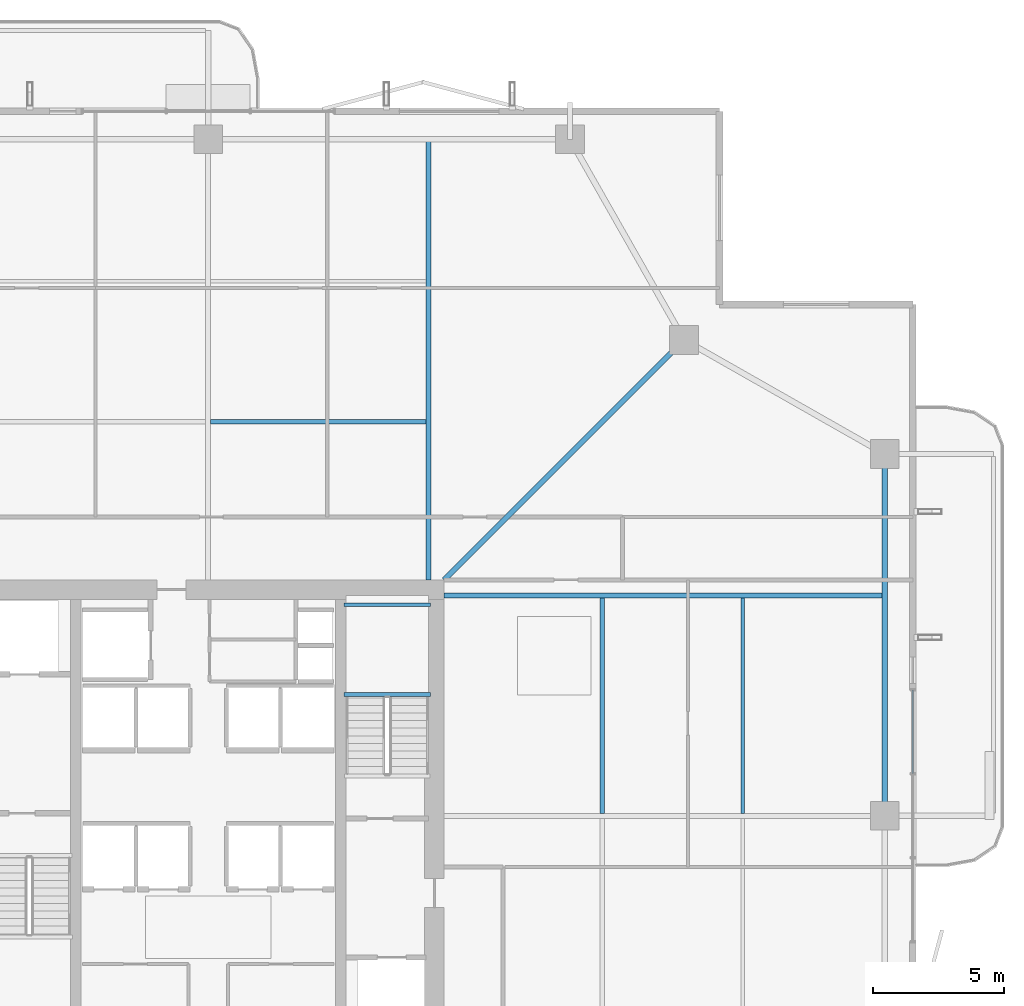
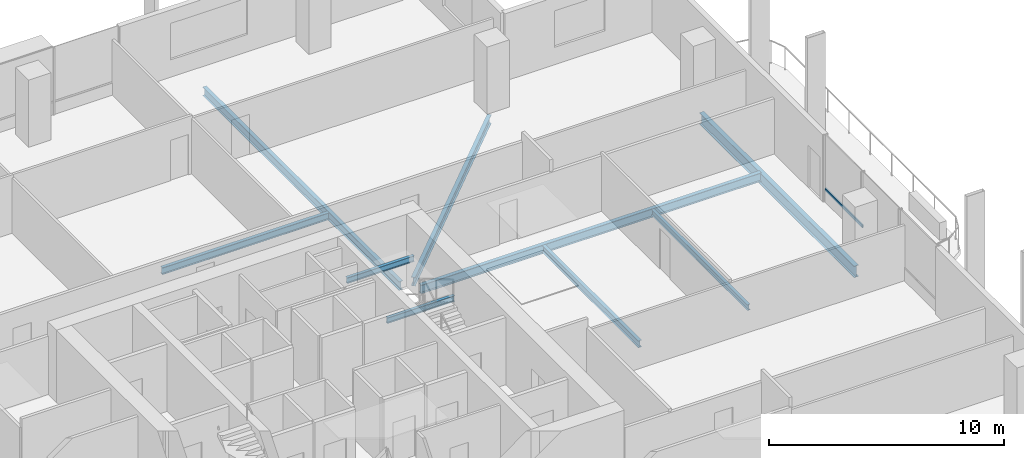
# One storey, part 12 of 24: 9 beams, 1 member, 1 element without a shape of its own.
"""IFC4 building model written with IfcOpenShell, lengths in metres."""

from ifc_helpers import new_model, si_unit, direction, frame, origin, origin_2d, place, context, subcontext, project, spatial, hollow_rectangle, i_section, extrude, material, layer, layer_set, material_profile, profile_set, type_object, element, aggregate, save


model = new_model("IFC4")

# Units and contexts
model_context = context("Model", 3, precision=1e-05, world=origin(), true_north=direction((0.0, 1.0)))
body_context = subcontext(model_context, "Body", "Model", "MODEL_VIEW")
ifc_project = project(units=[si_unit("LENGTHUNIT", "METRE"), si_unit("AREAUNIT", "SQUARE_METRE"), si_unit("VOLUMEUNIT", "CUBIC_METRE"), si_unit("PLANEANGLEUNIT", "RADIAN"), si_unit("MASSUNIT", "GRAM", prefix="KILO")], contexts=[model_context])

# Site, building, storey
site_placement = place(None, origin())
site = spatial("IfcSite", under=ifc_project, at=site_placement, CompositionType="ELEMENT")
building_placement = place(site_placement, origin())
building = spatial("IfcBuilding", under=site, at=building_placement, Name="Belovzor Exchange Tower", CompositionType="ELEMENT")
storey_placement = place(building_placement, frame((0.0, 0.0, 233.699951171875)))
storey = spatial("IfcBuildingStorey", under=building, at=storey_placement, Name="L58", CompositionType="ELEMENT", Elevation=233.699951171875)

# Beams
ifc_material_1 = material(Name="Steel S355", Category="steel")
ifc_material_profile_1 = material_profile(ifc_material_1, i_section(OverallWidth=0.169921875, OverallDepth=0.360107421875, WebThickness=0.008056640625, FlangeThickness=0.0126953125, at=origin_2d()))
ifc_profile_set_1 = profile_set([ifc_material_profile_1], Name="Steel S355")
beam_type_1 = type_object("IfcBeamType", Name="Secondary Infill Floor Joist IPE 360", PredefinedType="BEAM", material=ifc_profile_set_1)
for number, where, z_axis, x_axis, name in (
    (1, (28.89501953125, 43.827880859375, -0.429931640625), (1.0, 0.0, 0.0), (0.0, 1.0, 0.0), "FJ-360 Secondary Infill Floor Joist IPE 360"),
    (2, (43.827880859375, 28.89501953125, -0.429931640625), (0.0, 1.0, 0.0), (-1.0, 0.0, 0.0), "FJ-360 Secondary Infill Floor Joist IPE 360"),
):
    element("IfcBeam", number, at=place(storey_placement, frame(where, z_axis=z_axis, x_axis=x_axis)), inside=storey, type_object=beam_type_1, Name=name, PredefinedType="BEAM", context=body_context, shape_type="SweptSolid", body=[
        extrude(i_section(OverallWidth=0.169921875, OverallDepth=0.360107421875, WebThickness=0.008056640625, FlangeThickness=0.0126953125, at=origin_2d()), origin(), (0.0, 0.0, 1.0), 8.2099609375),
    ])
ifc_material_2 = material(Name="Steel S355", Category="steel")
ifc_material_profile_2 = material_profile(ifc_material_2, i_section(OverallWidth=0.14990234375, OverallDepth=0.300048828125, WebThickness=0.007080078125, FlangeThickness=0.0107421875, at=origin_2d()))
ifc_profile_set_2 = profile_set([ifc_material_profile_2], Name="Steel S355")
beam_type_2 = type_object("IfcBeamType", Name="Secondary Trim Floor Joist IPE 300", PredefinedType="BEAM", material=ifc_profile_set_2)
for number, where, z_axis, x_axis, name in (
    (3, (37.280029296875, 33.419921875, 1.525146484375), (-1.0, 0.0, 0.0), (0.0, -1.0, 0.0), "FJ-300 Secondary Trim Floor Joist IPE 300"),
    (4, (37.280029296875, 36.85009765625, 1.525146484375), (-1.0, 0.0, 0.0), (0.0, -1.0, 0.0), "FJ-300 Secondary Trim Floor Joist IPE 300"),
):
    element("IfcBeam", number, at=place(storey_placement, frame(where, z_axis=z_axis, x_axis=x_axis)), inside=storey, type_object=beam_type_2, Name=name, PredefinedType="BEAM", context=body_context, shape_type="SweptSolid", body=[
        extrude(i_section(OverallWidth=0.14990234375, OverallDepth=0.300048828125, WebThickness=0.007080078125, FlangeThickness=0.0107421875, at=origin_2d()), origin(), (0.0, 0.0, 1.0), 3.31005859375),
    ])
beam_1_placement = place(storey_placement, frame((49.18701171875, 28.89501953125, -0.39990234375), z_axis=(0.0, 1.0, 0.0), x_axis=(-1.0, 0.0, 0.0)))
element("IfcBeam", 5, at=beam_1_placement, inside=storey, type_object=beam_type_2, Name="FJ-300 Secondary Trim Floor Joist IPE 300", PredefinedType="BEAM", context=body_context, shape_type="SweptSolid", body=[
    extrude(i_section(OverallWidth=0.14990234375, OverallDepth=0.300048828125, WebThickness=0.007080078125, FlangeThickness=0.0107421875, at=origin_2d()), origin(), (0.0, 0.0, 1.0), 8.2099609375),
])

# Curtain wall, member
ifc_material_3 = material(Name="Anodised Aluminium Framing", Category="aluminium")
ifc_layer = layer(ifc_material_3, 0.179931640625)
ifc_layer_set = layer_set([ifc_layer], Name="Anodised Aluminium Framing")
curtain_wall_type = type_object("IfcCurtainWallType", Name="Recessed Loggia Low-Iron Triple-Glazed Curtain Wall", PredefinedType="NOTDEFINED", material=ifc_layer_set)
curtain_wall_placement = place(storey_placement, origin())
curtain_wall = element("IfcCurtainWall", 6, at=curtain_wall_placement, inside=storey, type_object=curtain_wall_type, Name="CW3 Recessed Loggia Low-Iron Triple-Glazed Curtain Wall L58", PredefinedType="NOTDEFINED")
ifc_material_4 = material(Name="Steel S355", Category="steel")
ifc_material_profile_3 = material_profile(ifc_material_4, hollow_rectangle(XDim=0.06005859375, YDim=0.14990234375, WallThickness=0.00390625, at=origin_2d()))
ifc_profile_set_3 = profile_set([ifc_material_profile_3], Name="Steel S355")
member_type = type_object("IfcMemberType", Name="Thermally Broken Curtain Wall Transom 150x60", PredefinedType="USERDEFINED", material=ifc_profile_set_3)
member_placement = place(storey_placement, frame((55.669921875, 33.592041015625, 0.630126953125), z_axis=(0.0, -1.0, 0.0), x_axis=(1.0, 0.0, 0.0)))
member = element("IfcMember", 7, at=member_placement, type_object=member_type, Name="CW-T150 Curtain Wall Transom 1", ObjectType="TRANSOM", PredefinedType="USERDEFINED", context=body_context, shape_type="SweptSolid", body=[
    extrude(hollow_rectangle(XDim=0.06005859375, YDim=0.14990234375, WallThickness=0.00390625, at=origin_2d()), origin(), (0.0, 0.0, 1.0), 3.18408203125),
])
aggregate(curtain_wall, [member])

# Beams
ifc_material_5 = material(Name="Steel S355", Category="steel")
ifc_material_profile_4 = material_profile(ifc_material_5, i_section(OverallWidth=0.18994140625, OverallDepth=0.449951171875, WebThickness=0.009521484375, FlangeThickness=0.0146484375, at=origin_2d()))
ifc_profile_set_4 = profile_set([ifc_material_profile_4], Name="Steel S355")
beam_type_3 = type_object("IfcBeamType", Name="Zone 2-4 Radial Composite Floor Beam IPE 450", PredefinedType="BEAM", material=ifc_profile_set_4)
for number, where, z_axis, x_axis, name in (
    (8, (37.199951171875, 37.800048828125, -0.474853515625), (0.0, 1.0, 0.0), (-1.0, 0.0, 0.0), "FB-450 Zone 2-4 Radial Composite Floor Beam IPE 450"),
    (9, (37.800048828125, 37.199951171875, -0.474853515625), (1.0, 0.0, 0.0), (0.0, 1.0, 0.0), "FB-450 Zone 2-4 Radial Composite Floor Beam IPE 450"),
):
    element("IfcBeam", number, at=place(storey_placement, frame(where, z_axis=z_axis, x_axis=x_axis)), inside=storey, type_object=beam_type_3, Name=name, PredefinedType="BEAM", context=body_context, shape_type="SweptSolid", body=[
        extrude(i_section(OverallWidth=0.18994140625, OverallDepth=0.449951171875, WebThickness=0.009521484375, FlangeThickness=0.0146484375, at=origin_2d()), origin(), (0.0, 0.0, 1.0), 16.744873046875),
    ])
beam_2_placement = place(storey_placement, frame((37.800048828125, 37.800048828125, -0.474853515625), z_axis=(0.707106781187, 0.707106781187, 0.0), x_axis=(-0.707106781187, 0.707106781187, 0.0)))
element("IfcBeam", 10, at=beam_2_placement, inside=storey, type_object=beam_type_3, Name="FB-450 Zone 2-4 Radial Composite Floor Beam IPE 450", PredefinedType="BEAM", context=body_context, shape_type="SweptSolid", body=[
    extrude(i_section(OverallWidth=0.18994140625, OverallDepth=0.449951171875, WebThickness=0.009521484375, FlangeThickness=0.0146484375, at=origin_2d()), origin(), (0.0, 0.0, 1.0), 12.551025390625),
])
ifc_material_6 = material(Name="Steel S355", Category="steel")
ifc_material_profile_5 = material_profile(ifc_material_6, i_section(OverallWidth=0.219970703125, OverallDepth=0.60009765625, WebThickness=0.011962890625, FlangeThickness=0.01904296875, at=origin_2d()))
ifc_profile_set_5 = profile_set([ifc_material_profile_5], Name="Steel S355")
beam_type_4 = type_object("IfcBeamType", Name="Zone 4 Flare Primary Girder IPE 600", PredefinedType="BEAM", material=ifc_profile_set_5)
beam_3_placement = place(storey_placement, frame((54.60009765625, 29.10205078125, -0.550048828125), z_axis=(0.0, 1.0, 0.0), x_axis=(-1.0, 0.0, 0.0)))
element("IfcBeam", 11, at=beam_3_placement, inside=storey, type_object=beam_type_4, Name="FG-Z4 Zone 4 Flare Primary Girder IPE 600", PredefinedType="BEAM", context=body_context, shape_type="SweptSolid", body=[
    extrude(i_section(OverallWidth=0.219970703125, OverallDepth=0.60009765625, WebThickness=0.011962890625, FlangeThickness=0.01904296875, at=origin_2d()), origin(), (0.0, 0.0, 1.0), 13.195068359375),
])

save(model, "model.ifc")
